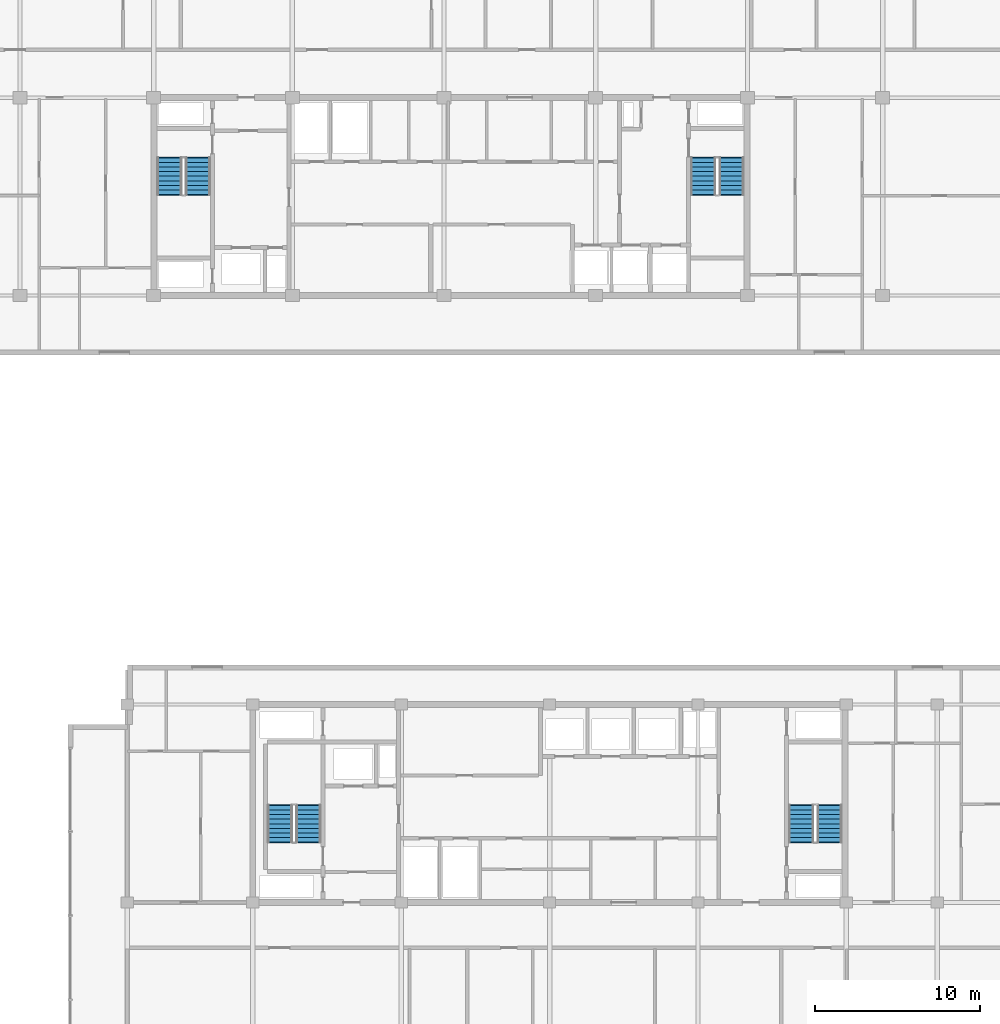
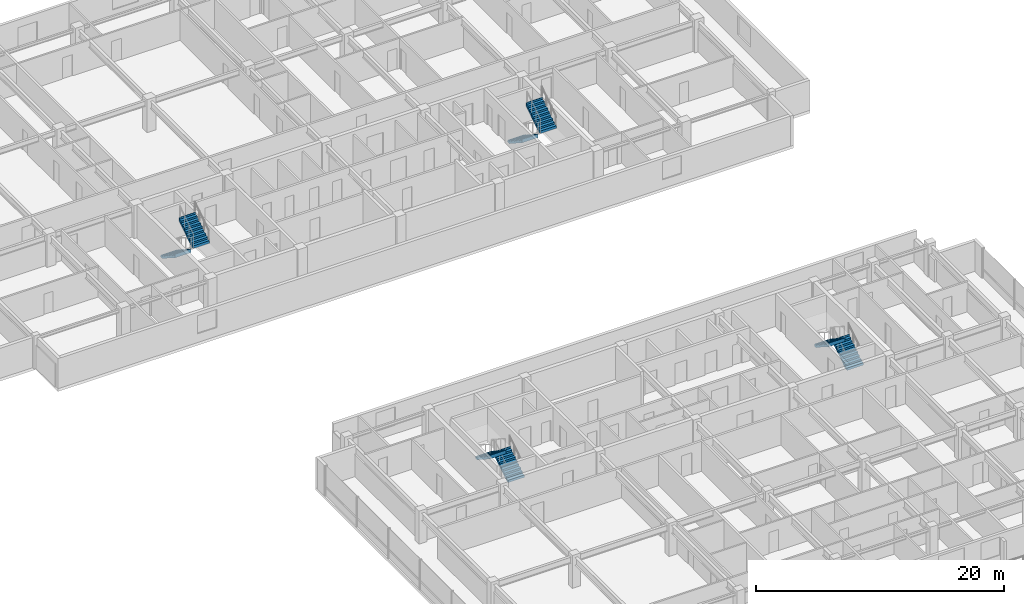
# One storey, part 25 of 30: 8 stair flights, 4 elements without a shape of their own.
"""IFC4 building model written with IfcOpenShell, lengths in metres."""

from ifc_helpers import new_model, si_unit, direction, frame, origin, place, context, subcontext, project, spatial, polyline, outline, extrude, material, type_object, element, aggregate, save


model = new_model("IFC4")

# Units and contexts
model_context = context("Model", 3, precision=1e-05, world=origin(), true_north=direction((0.0, 1.0)))
body_context = subcontext(model_context, "Body", "Model", "MODEL_VIEW")
ifc_project = project(units=[si_unit("LENGTHUNIT", "METRE"), si_unit("AREAUNIT", "SQUARE_METRE"), si_unit("VOLUMEUNIT", "CUBIC_METRE"), si_unit("PLANEANGLEUNIT", "RADIAN"), si_unit("MASSUNIT", "GRAM", prefix="KILO")], contexts=[model_context])

# Site, building, storey
site_placement = place(None, origin())
site = spatial("IfcSite", under=ifc_project, at=site_placement, CompositionType="ELEMENT")
building_placement = place(site_placement, origin())
building = spatial("IfcBuilding", under=site, at=building_placement, Name="Korimba Cascade Residences", CompositionType="ELEMENT")
storey_placement = place(building_placement, frame((0.0, 0.0, 201.10009765625)))
storey = spatial("IfcBuildingStorey", under=building, at=storey_placement, Name="L58", CompositionType="ELEMENT", Elevation=201.10009765625)

# Stair, stair flights
ifc_material = material(Name="Concrete C50/60", Category="concrete")
stair_type_1 = type_object("IfcStairType", Name="STR-W1-18R-1806", PredefinedType="HALF_TURN_STAIR", material=ifc_material)
stair_1_placement = place(storey_placement, origin())
stair_1 = element("IfcStair", 1, at=stair_1_placement, inside=storey, type_object=stair_type_1, Name="L58 Tower 1 West Fire Stair ST-W1", PredefinedType="HALF_TURN_STAIR")
stair_flight_type = type_object("IfcStairFlightType", Name="STF-DL-18R-1806-1520", PredefinedType="STRAIGHT", material=ifc_material)
stair_flight_1_placement = place(storey_placement, frame((77.06005859375, 63.550048828125, 0.0), z_axis=(0.0, 0.0, 1.0), x_axis=(0.0, -1.0, 0.0)))
stair_flight_1 = element("IfcStairFlight", 2, at=stair_flight_1_placement, type_object=stair_flight_type, Name="ST-W1 flight 1", NumberOfRisers=9, NumberOfTreads=8, PredefinedType="STRAIGHT", RiserHeight=0.180555556, TreadLength=0.28, context=body_context, shape_type="SweptSolid", body=[
    extrude(outline(polyline([(-0.0380859375, 0.0), (0.0, 0.1806640625), (0.280029296875, 0.1806640625), (0.280029296875, 0.361083984375), (0.56005859375, 0.361083984375), (0.56005859375, 0.541748046875), (0.840087890625, 0.541748046875), (0.840087890625, 0.72216796875), (1.1201171875, 0.72216796875), (1.1201171875, 0.90283203125), (1.39990234375, 0.90283203125), (1.39990234375, 1.083251953125), (1.679931640625, 1.083251953125), (1.679931640625, 1.263916015625), (1.9599609375, 1.263916015625), (1.9599609375, 1.4443359375), (2.239990234375, 1.4443359375), (2.239990234375, 1.625), (2.278076171875, 1.625), (2.278076171875, 1.26611328125), (0.276611328125, 0.0), (0.276611328125, -0.0380859375), (-0.0380859375, -0.0380859375), (-0.0380859375, 0.0)])), frame((0.0, 0.760009765625, 0.0), z_axis=(0.0, -1.0, 0.0), x_axis=(1.0, 0.0, 0.0)), (0.0, 0.0, 1.0), 1.52001953125),
])
stair_flight_2_placement = place(storey_placement, frame((78.780029296875, 61.31005859375, 1.625), z_axis=(0.0, 0.0, 1.0), x_axis=(0.0, 1.0, 0.0)))
stair_flight_2 = element("IfcStairFlight", 3, at=stair_flight_2_placement, type_object=stair_flight_type, Name="ST-W1 flight 2", NumberOfRisers=9, NumberOfTreads=8, PredefinedType="STRAIGHT", RiserHeight=0.180555556, TreadLength=0.28, context=body_context, shape_type="SweptSolid", body=[
    extrude(outline(polyline([(-0.0380859375, 0.0), (0.0, 0.1806640625), (0.280029296875, 0.1806640625), (0.280029296875, 0.361083984375), (0.56005859375, 0.361083984375), (0.56005859375, 0.541748046875), (0.840087890625, 0.541748046875), (0.840087890625, 0.72216796875), (1.1201171875, 0.72216796875), (1.1201171875, 0.90283203125), (1.39990234375, 0.90283203125), (1.39990234375, 1.083251953125), (1.679931640625, 1.083251953125), (1.679931640625, 1.263916015625), (1.9599609375, 1.263916015625), (1.9599609375, 1.4443359375), (2.239990234375, 1.4443359375), (2.239990234375, 1.625), (2.278076171875, 1.625), (2.278076171875, 1.26611328125), (0.276611328125, 0.0), (0.276611328125, -0.0380859375), (-0.0380859375, -0.0380859375), (-0.0380859375, 0.0)])), frame((0.0, 0.760009765625, 0.0), z_axis=(0.0, -1.0, 0.0), x_axis=(1.0, 0.0, 0.0)), (0.0, 0.0, 1.0), 1.52001953125),
])
aggregate(stair_1, [stair_flight_1, stair_flight_2])

stair_type_2 = type_object("IfcStairType", Name="STR-W2-18R-1806", PredefinedType="HALF_TURN_STAIR", material=ifc_material)
stair_2_placement = place(storey_placement, origin())
stair_2 = element("IfcStair", 4, at=stair_2_placement, inside=storey, type_object=stair_type_2, Name="L58 Tower 1 East Fire Stair ST-W2", PredefinedType="HALF_TURN_STAIR")
stair_flight_3_placement = place(storey_placement, frame((109.419921875, 63.550048828125, 0.0), z_axis=(0.0, 0.0, 1.0), x_axis=(0.0, -1.0, 0.0)))
stair_flight_3 = element("IfcStairFlight", 5, at=stair_flight_3_placement, type_object=stair_flight_type, Name="ST-W2 flight 1", NumberOfRisers=9, NumberOfTreads=8, PredefinedType="STRAIGHT", RiserHeight=0.180555556, TreadLength=0.28, context=body_context, shape_type="SweptSolid", body=[
    extrude(outline(polyline([(-0.0380859375, 0.0), (0.0, 0.1806640625), (0.280029296875, 0.1806640625), (0.280029296875, 0.361083984375), (0.56005859375, 0.361083984375), (0.56005859375, 0.541748046875), (0.840087890625, 0.541748046875), (0.840087890625, 0.72216796875), (1.1201171875, 0.72216796875), (1.1201171875, 0.90283203125), (1.39990234375, 0.90283203125), (1.39990234375, 1.083251953125), (1.679931640625, 1.083251953125), (1.679931640625, 1.263916015625), (1.9599609375, 1.263916015625), (1.9599609375, 1.4443359375), (2.239990234375, 1.4443359375), (2.239990234375, 1.625), (2.278076171875, 1.625), (2.278076171875, 1.26611328125), (0.276611328125, 0.0), (0.276611328125, -0.0380859375), (-0.0380859375, -0.0380859375), (-0.0380859375, 0.0)])), frame((0.0, 0.760009765625, 0.0), z_axis=(0.0, -1.0, 0.0), x_axis=(1.0, 0.0, 0.0)), (0.0, 0.0, 1.0), 1.52001953125),
])
stair_flight_4_placement = place(storey_placement, frame((111.139892578125, 61.31005859375, 1.625), z_axis=(0.0, 0.0, 1.0), x_axis=(0.0, 1.0, 0.0)))
stair_flight_4 = element("IfcStairFlight", 6, at=stair_flight_4_placement, type_object=stair_flight_type, Name="ST-W2 flight 2", NumberOfRisers=9, NumberOfTreads=8, PredefinedType="STRAIGHT", RiserHeight=0.180555556, TreadLength=0.28, context=body_context, shape_type="SweptSolid", body=[
    extrude(outline(polyline([(-0.0380859375, 0.0), (0.0, 0.1806640625), (0.280029296875, 0.1806640625), (0.280029296875, 0.361083984375), (0.56005859375, 0.361083984375), (0.56005859375, 0.541748046875), (0.840087890625, 0.541748046875), (0.840087890625, 0.72216796875), (1.1201171875, 0.72216796875), (1.1201171875, 0.90283203125), (1.39990234375, 0.90283203125), (1.39990234375, 1.083251953125), (1.679931640625, 1.083251953125), (1.679931640625, 1.263916015625), (1.9599609375, 1.263916015625), (1.9599609375, 1.4443359375), (2.239990234375, 1.4443359375), (2.239990234375, 1.625), (2.278076171875, 1.625), (2.278076171875, 1.26611328125), (0.276611328125, 0.0), (0.276611328125, -0.0380859375), (-0.0380859375, -0.0380859375), (-0.0380859375, 0.0)])), frame((0.0, 0.760009765625, 0.0), z_axis=(0.0, -1.0, 0.0), x_axis=(1.0, 0.0, 0.0)), (0.0, 0.0, 1.0), 1.52001953125),
])
aggregate(stair_2, [stair_flight_3, stair_flight_4])

stair_type_3 = type_object("IfcStairType", Name="STR-E1-18R-1806", PredefinedType="HALF_TURN_STAIR", material=ifc_material)
stair_3_placement = place(storey_placement, origin())
stair_3 = element("IfcStair", 7, at=stair_3_placement, inside=storey, type_object=stair_type_3, Name="L58 Tower 2 West Fire Stair ST-E1", PredefinedType="HALF_TURN_STAIR")
stair_flight_5_placement = place(storey_placement, frame((85.47998046875, 22.050048828125, 0.0), z_axis=(0.0, 0.0, 1.0), x_axis=(0.0, 1.0, 0.0)))
stair_flight_5 = element("IfcStairFlight", 8, at=stair_flight_5_placement, type_object=stair_flight_type, Name="ST-E1 flight 1", NumberOfRisers=9, NumberOfTreads=8, PredefinedType="STRAIGHT", RiserHeight=0.180555556, TreadLength=0.28, context=body_context, shape_type="SweptSolid", body=[
    extrude(outline(polyline([(-0.0380859375, 0.0), (0.0, 0.1806640625), (0.280029296875, 0.1806640625), (0.280029296875, 0.361083984375), (0.56005859375, 0.361083984375), (0.56005859375, 0.541748046875), (0.840087890625, 0.541748046875), (0.840087890625, 0.72216796875), (1.1201171875, 0.72216796875), (1.1201171875, 0.90283203125), (1.39990234375, 0.90283203125), (1.39990234375, 1.083251953125), (1.679931640625, 1.083251953125), (1.679931640625, 1.263916015625), (1.9599609375, 1.263916015625), (1.9599609375, 1.4443359375), (2.239990234375, 1.4443359375), (2.239990234375, 1.625), (2.278076171875, 1.625), (2.278076171875, 1.26611328125), (0.276611328125, 0.0), (0.276611328125, -0.0380859375), (-0.0380859375, -0.0380859375), (-0.0380859375, 0.0)])), frame((0.0, 0.760009765625, 0.0), z_axis=(0.0, -1.0, 0.0), x_axis=(1.0, 0.0, 0.0)), (0.0, 0.0, 1.0), 1.52001953125),
])
stair_flight_6_placement = place(storey_placement, frame((83.760009765625, 24.2900390625, 1.625), z_axis=(0.0, 0.0, 1.0), x_axis=(0.0, -1.0, 0.0)))
stair_flight_6 = element("IfcStairFlight", 9, at=stair_flight_6_placement, type_object=stair_flight_type, Name="ST-E1 flight 2", NumberOfRisers=9, NumberOfTreads=8, PredefinedType="STRAIGHT", RiserHeight=0.180555556, TreadLength=0.28, context=body_context, shape_type="SweptSolid", body=[
    extrude(outline(polyline([(-0.0380859375, 0.0), (0.0, 0.1806640625), (0.280029296875, 0.1806640625), (0.280029296875, 0.361083984375), (0.56005859375, 0.361083984375), (0.56005859375, 0.541748046875), (0.840087890625, 0.541748046875), (0.840087890625, 0.72216796875), (1.1201171875, 0.72216796875), (1.1201171875, 0.90283203125), (1.39990234375, 0.90283203125), (1.39990234375, 1.083251953125), (1.679931640625, 1.083251953125), (1.679931640625, 1.263916015625), (1.9599609375, 1.263916015625), (1.9599609375, 1.4443359375), (2.239990234375, 1.4443359375), (2.239990234375, 1.625), (2.278076171875, 1.625), (2.278076171875, 1.26611328125), (0.276611328125, 0.0), (0.276611328125, -0.0380859375), (-0.0380859375, -0.0380859375), (-0.0380859375, 0.0)])), frame((0.0, 0.760009765625, 0.0), z_axis=(0.0, -1.0, 0.0), x_axis=(1.0, 0.0, 0.0)), (0.0, 0.0, 1.0), 1.52001953125),
])
aggregate(stair_3, [stair_flight_5, stair_flight_6])

stair_type_4 = type_object("IfcStairType", Name="STR-E2-18R-1806", PredefinedType="HALF_TURN_STAIR", material=ifc_material)
stair_4_placement = place(storey_placement, origin())
stair_4 = element("IfcStair", 10, at=stair_4_placement, inside=storey, type_object=stair_type_4, Name="L58 Tower 2 East Fire Stair ST-E2", PredefinedType="HALF_TURN_STAIR")
stair_flight_7_placement = place(storey_placement, frame((117.080078125, 22.050048828125, 0.0), z_axis=(0.0, 0.0, 1.0), x_axis=(0.0, 1.0, 0.0)))
stair_flight_7 = element("IfcStairFlight", 11, at=stair_flight_7_placement, type_object=stair_flight_type, Name="ST-E2 flight 1", NumberOfRisers=9, NumberOfTreads=8, PredefinedType="STRAIGHT", RiserHeight=0.180555556, TreadLength=0.28, context=body_context, shape_type="SweptSolid", body=[
    extrude(outline(polyline([(-0.0380859375, 0.0), (0.0, 0.1806640625), (0.280029296875, 0.1806640625), (0.280029296875, 0.361083984375), (0.56005859375, 0.361083984375), (0.56005859375, 0.541748046875), (0.840087890625, 0.541748046875), (0.840087890625, 0.72216796875), (1.1201171875, 0.72216796875), (1.1201171875, 0.90283203125), (1.39990234375, 0.90283203125), (1.39990234375, 1.083251953125), (1.679931640625, 1.083251953125), (1.679931640625, 1.263916015625), (1.9599609375, 1.263916015625), (1.9599609375, 1.4443359375), (2.239990234375, 1.4443359375), (2.239990234375, 1.625), (2.278076171875, 1.625), (2.278076171875, 1.26611328125), (0.276611328125, 0.0), (0.276611328125, -0.0380859375), (-0.0380859375, -0.0380859375), (-0.0380859375, 0.0)])), frame((0.0, 0.760009765625, 0.0), z_axis=(0.0, -1.0, 0.0), x_axis=(1.0, 0.0, 0.0)), (0.0, 0.0, 1.0), 1.52001953125),
])
stair_flight_8_placement = place(storey_placement, frame((115.360107421875, 24.2900390625, 1.625), z_axis=(0.0, 0.0, 1.0), x_axis=(0.0, -1.0, 0.0)))
stair_flight_8 = element("IfcStairFlight", 12, at=stair_flight_8_placement, type_object=stair_flight_type, Name="ST-E2 flight 2", NumberOfRisers=9, NumberOfTreads=8, PredefinedType="STRAIGHT", RiserHeight=0.180555556, TreadLength=0.28, context=body_context, shape_type="SweptSolid", body=[
    extrude(outline(polyline([(-0.0380859375, 0.0), (0.0, 0.1806640625), (0.280029296875, 0.1806640625), (0.280029296875, 0.361083984375), (0.56005859375, 0.361083984375), (0.56005859375, 0.541748046875), (0.840087890625, 0.541748046875), (0.840087890625, 0.72216796875), (1.1201171875, 0.72216796875), (1.1201171875, 0.90283203125), (1.39990234375, 0.90283203125), (1.39990234375, 1.083251953125), (1.679931640625, 1.083251953125), (1.679931640625, 1.263916015625), (1.9599609375, 1.263916015625), (1.9599609375, 1.4443359375), (2.239990234375, 1.4443359375), (2.239990234375, 1.625), (2.278076171875, 1.625), (2.278076171875, 1.26611328125), (0.276611328125, 0.0), (0.276611328125, -0.0380859375), (-0.0380859375, -0.0380859375), (-0.0380859375, 0.0)])), frame((0.0, 0.760009765625, 0.0), z_axis=(0.0, -1.0, 0.0), x_axis=(1.0, 0.0, 0.0)), (0.0, 0.0, 1.0), 1.52001953125),
])
aggregate(stair_4, [stair_flight_7, stair_flight_8])

save(model, "model.ifc")
